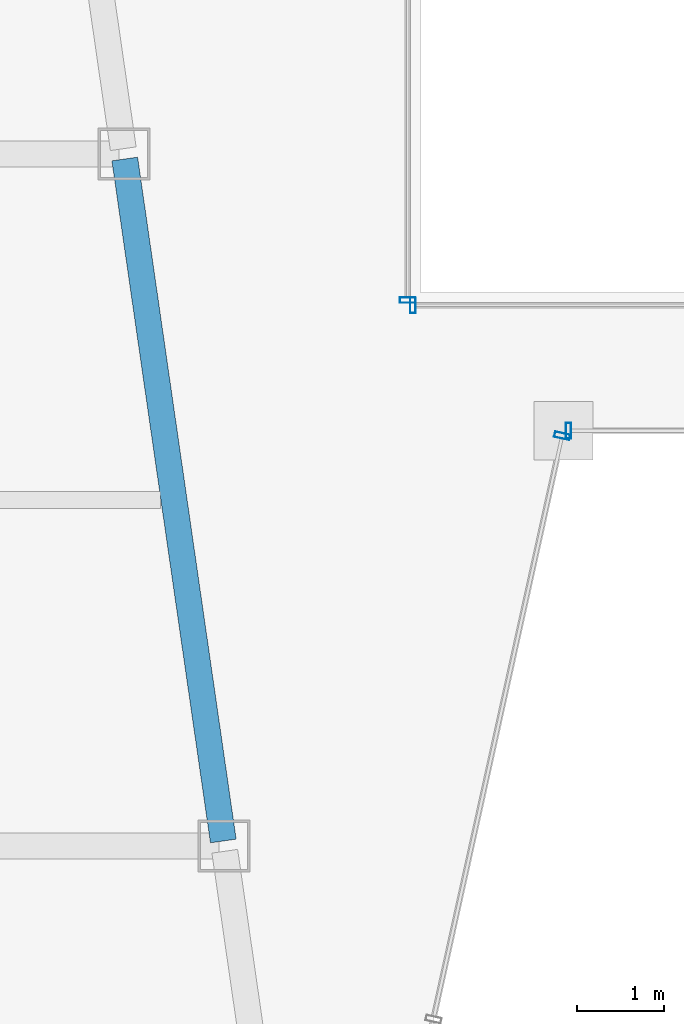
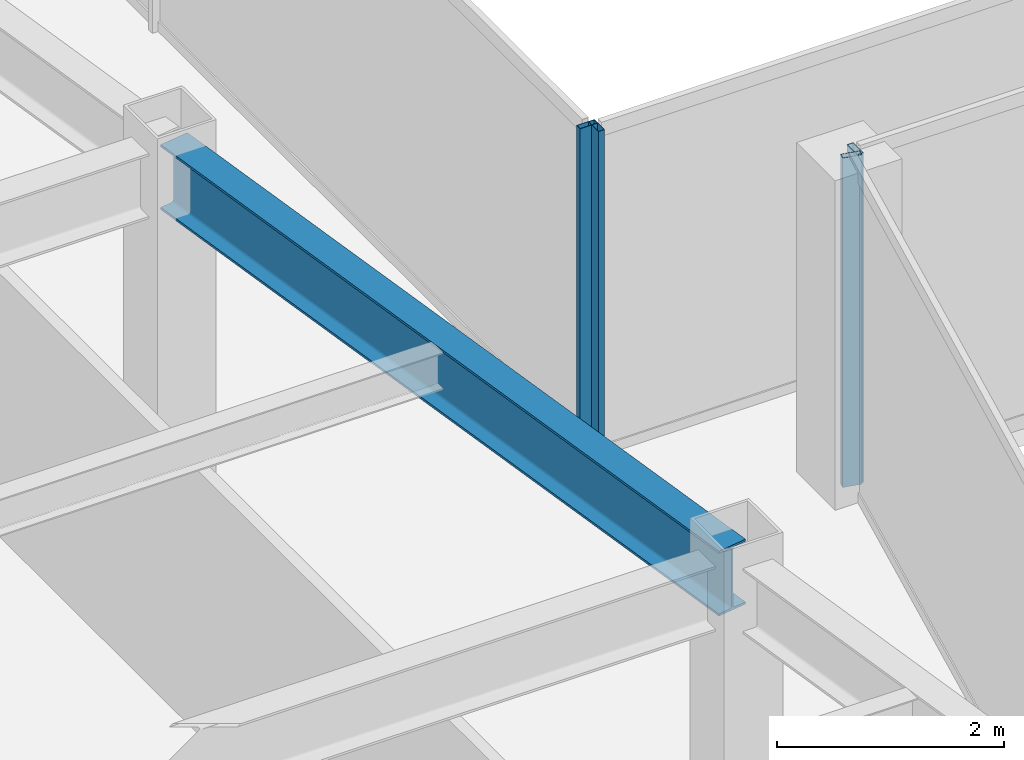
# One storey, part 8 of 40: 4 members, 1 beam, 4 elements without a shape of their own.
"""IFC4 building model written with IfcOpenShell, lengths in metres."""

from ifc_helpers import new_model, si_unit, direction, frame, origin, origin_2d, place, context, subcontext, project, spatial, hollow_rectangle, i_section, extrude, material, material_profile, profile_set, type_object, element, aggregate, save


model = new_model("IFC4")

# Units and contexts
model_context = context("Model", 3, precision=1e-05, world=origin(), true_north=direction((0.0, 1.0)))
body_context = subcontext(model_context, "Body", "Model", "MODEL_VIEW")
ifc_project = project(units=[si_unit("LENGTHUNIT", "METRE"), si_unit("AREAUNIT", "SQUARE_METRE"), si_unit("VOLUMEUNIT", "CUBIC_METRE"), si_unit("PLANEANGLEUNIT", "RADIAN"), si_unit("MASSUNIT", "GRAM", prefix="KILO")], contexts=[model_context])

# Site, building, storey
site_placement = place(None, origin())
site = spatial("IfcSite", under=ifc_project, at=site_placement, CompositionType="ELEMENT")
building_placement = place(site_placement, origin())
building = spatial("IfcBuilding", under=site, at=building_placement, Name="Saevonmaru Cultural Tower", CompositionType="ELEMENT")
storey_placement = place(building_placement, frame((0.0, 0.0, 129.60009765625)))
storey = spatial("IfcBuildingStorey", under=building, at=storey_placement, Name="L27", CompositionType="ELEMENT", Elevation=129.60009765625)

# Beam
ifc_material_1 = material(Name="Steel SM355", Category="steel")
ifc_material_profile_1 = material_profile(ifc_material_1, i_section(OverallWidth=0.300048828125, OverallDepth=0.699951171875, WebThickness=0.012939453125, FlangeThickness=0.02392578125, FilletRadius=0.02587890625, at=origin_2d()), Name="H-700x300x13x24")
ifc_profile_set_1 = profile_set([ifc_material_profile_1], Name="Steel SM355")
beam_type = type_object("IfcBeamType", Name="BM-G-H700", PredefinedType="BEAM", material=ifc_profile_set_1)
beam_placement = place(storey_placement, frame((21.91943359375, 16.059326171875, 3.199951171875), z_axis=(-0.143022161059, 0.989719486241, 0.0), x_axis=(-0.989719486241, -0.143022161059, 0.0)))
element("IfcBeam", 1, at=beam_placement, inside=storey, type_object=beam_type, Name="L27 West Atrium Girder 2", PredefinedType="BEAM", context=body_context, shape_type="SweptSolid", body=[
    extrude(i_section(OverallWidth=0.300048828125, OverallDepth=0.699951171875, WebThickness=0.012939453125, FlangeThickness=0.02392578125, FilletRadius=0.02587890625, at=origin_2d()), origin(), (0.0, 0.0, 1.0), 7.963134765625),
])

# Curtain wall, member
ifc_material_2 = material(Name="Satin Bronze Anodised Aluminium", Category="aluminium")
curtain_wall_type_1 = type_object("IfcCurtainWallType", Name="CW-SKY-GLZ", PredefinedType="NOTDEFINED", material=ifc_material_2)
curtain_wall_1_placement = place(storey_placement, origin())
curtain_wall_1 = element("IfcCurtainWall", 2, at=curtain_wall_1_placement, inside=storey, type_object=curtain_wall_type_1, Name="L27 Unitised Curtain Wall E3", PredefinedType="NOTDEFINED")
ifc_material_profile_2 = material_profile(ifc_material_2, hollow_rectangle(XDim=0.06494140625, YDim=0.179931640625, WallThickness=0.00390625, at=origin_2d()), Name="ALU-MULL-180x65x4")
ifc_profile_set_2 = profile_set([ifc_material_profile_2], Name="Satin Bronze Anodised Aluminium")
member_type_1 = type_object("IfcMemberType", Name="ML-CW-180x65", PredefinedType="MULLION", material=ifc_profile_set_2)
member_1_placement = place(storey_placement, frame((25.8359375, 20.741455078125, 0.0), z_axis=(0.0, 0.0, 1.0), x_axis=(0.215413319953, 0.976522965212, 0.0)))
member_1 = element("IfcMember", 3, at=member_1_placement, type_object=member_type_1, Name="CW-TW-L27-E3 mullion 3", PredefinedType="MULLION", context=body_context, shape_type="SweptSolid", body=[
    extrude(hollow_rectangle(XDim=0.06494140625, YDim=0.179931640625, WallThickness=0.00390625, at=origin_2d()), origin(), (0.0, 0.0, 1.0), 3.5498046875),
])
aggregate(curtain_wall_1, [member_1])

curtain_wall_2_placement = place(storey_placement, origin())
curtain_wall_2 = element("IfcCurtainWall", 4, at=curtain_wall_2_placement, inside=storey, type_object=curtain_wall_type_1, Name="L27 Unitised Curtain Wall E4", PredefinedType="NOTDEFINED")
member_2_placement = place(storey_placement, frame((25.908935546875, 20.800048828125, 0.0), z_axis=(0.0, 0.0, 1.0), x_axis=(1.0, 0.0, 0.0)))
member_2 = element("IfcMember", 5, at=member_2_placement, type_object=member_type_1, Name="CW-TW-L27-E4 mullion 1", PredefinedType="MULLION", context=body_context, shape_type="SweptSolid", body=[
    extrude(hollow_rectangle(XDim=0.06494140625, YDim=0.179931640625, WallThickness=0.00390625, at=origin_2d()), origin(), (0.0, 0.0, 1.0), 3.5498046875),
])
aggregate(curtain_wall_2, [member_2])

curtain_wall_type_2 = type_object("IfcCurtainWallType", Name="CW-ATR-GLZ", PredefinedType="NOTDEFINED", material=ifc_material_2)
curtain_wall_3_placement = place(storey_placement, origin())
curtain_wall_3 = element("IfcCurtainWall", 6, at=curtain_wall_3_placement, inside=storey, type_object=curtain_wall_type_2, Name="L27 Vertical Atrium Glazed Smoke Screen 1", PredefinedType="NOTDEFINED")
ifc_material_profile_3 = material_profile(ifc_material_2, hollow_rectangle(XDim=0.06494140625, YDim=0.179931640625, WallThickness=0.00390625, at=origin_2d()), Name="ALU-MULL-180x65x4")
ifc_profile_set_3 = profile_set([ifc_material_profile_3], Name="Satin Bronze Anodised Aluminium")
member_type_2 = type_object("IfcMemberType", Name="ML-CW-INT-180x65", PredefinedType="MULLION", material=ifc_profile_set_3)
member_3_placement = place(storey_placement, frame((24.110107421875, 22.25, 0.0), z_axis=(0.0, 0.0, 1.0), x_axis=(1.0, 0.0, 0.0)))
member_3 = element("IfcMember", 7, at=member_3_placement, type_object=member_type_2, Name="CW-ATR-L27-1 mullion 1", PredefinedType="MULLION", context=body_context, shape_type="SweptSolid", body=[
    extrude(hollow_rectangle(XDim=0.06494140625, YDim=0.179931640625, WallThickness=0.00390625, at=origin_2d()), origin(), (0.0, 0.0, 1.0), 3.5498046875),
])
aggregate(curtain_wall_3, [member_3])

curtain_wall_4_placement = place(storey_placement, origin())
curtain_wall_4 = element("IfcCurtainWall", 8, at=curtain_wall_4_placement, inside=storey, type_object=curtain_wall_type_2, Name="L27 Vertical Atrium Glazed Smoke Screen 4", PredefinedType="NOTDEFINED")
member_4_placement = place(storey_placement, frame((24.050048828125, 22.31005859375, 0.0), z_axis=(0.0, 0.0, 1.0), x_axis=(0.0, -1.0, 0.0)))
member_4 = element("IfcMember", 9, at=member_4_placement, type_object=member_type_2, Name="CW-ATR-L27-4 mullion 3", PredefinedType="MULLION", context=body_context, shape_type="SweptSolid", body=[
    extrude(hollow_rectangle(XDim=0.06494140625, YDim=0.179931640625, WallThickness=0.00390625, at=origin_2d()), origin(), (0.0, 0.0, 1.0), 3.5498046875),
])
aggregate(curtain_wall_4, [member_4])

save(model, "model.ifc")
